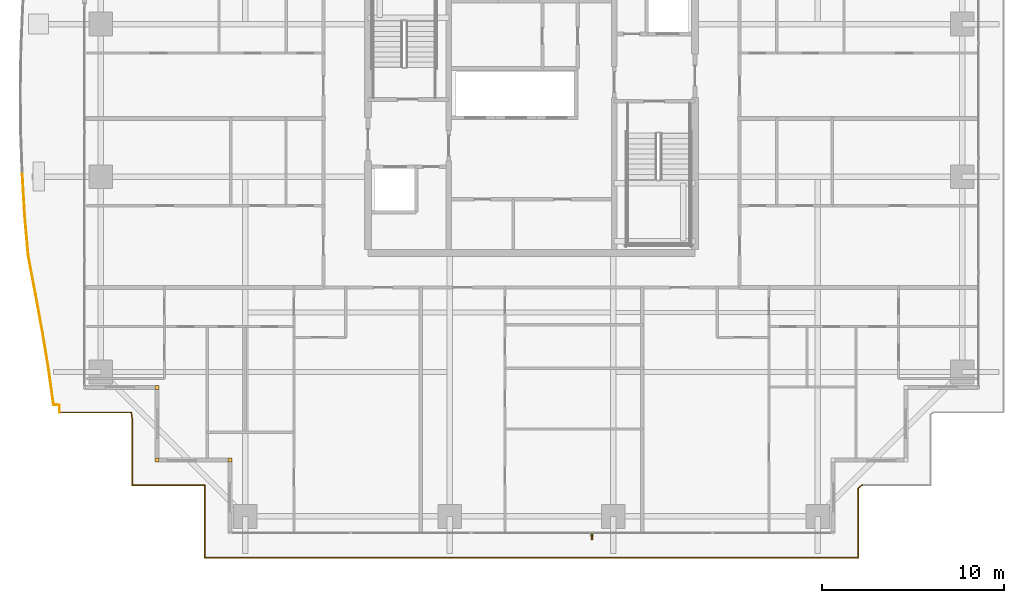
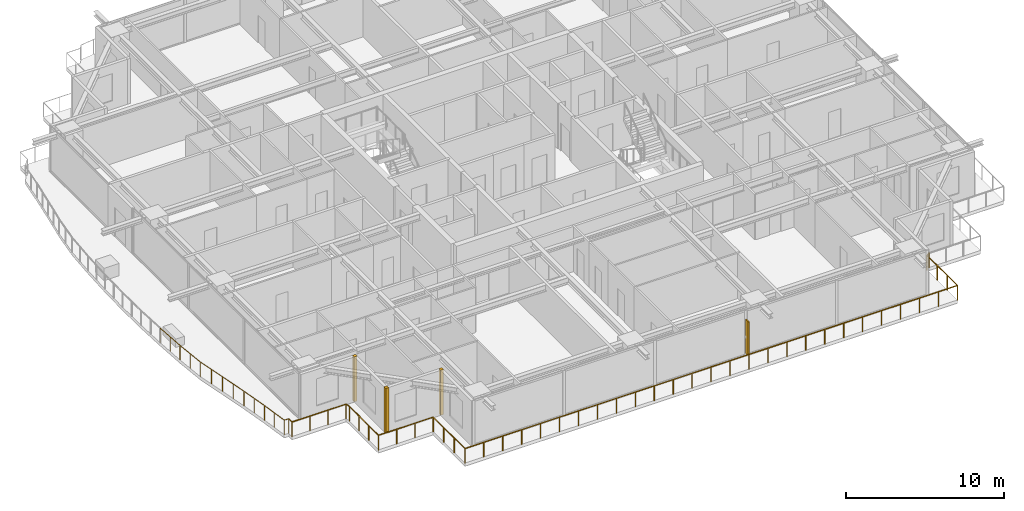
# One storey, part 34 of 39: 3 coverings, 2 railings, 1 shading device.
"""IFC4 building model written with IfcOpenShell, lengths in metres."""

from ifc_helpers import new_model, si_unit, direction, frame, origin, origin_2d, place, context, subcontext, project, spatial, rectangle, circle, extrude, source, transform, mapped, material, layer, layer_set, type_object, element, save


model = new_model("IFC4")

# Units and contexts
model_context = context("Model", 3, precision=1e-05, world=origin(), true_north=direction((0.0, 1.0)))
body_context = subcontext(model_context, "Body", "Model", "MODEL_VIEW")
ifc_project = project(units=[si_unit("LENGTHUNIT", "METRE"), si_unit("AREAUNIT", "SQUARE_METRE"), si_unit("VOLUMEUNIT", "CUBIC_METRE"), si_unit("PLANEANGLEUNIT", "RADIAN"), si_unit("MASSUNIT", "GRAM", prefix="KILO")], contexts=[model_context])

# Site, building, storey
site_placement = place(None, origin())
site = spatial("IfcSite", under=ifc_project, at=site_placement, CompositionType="ELEMENT")
building_placement = place(site_placement, origin())
building = spatial("IfcBuilding", under=site, at=building_placement, Name="Serunith Strait Residences", CompositionType="ELEMENT")
storey_placement = place(building_placement, frame((0.0, 0.0, 123.89990234375)))
storey = spatial("IfcBuildingStorey", under=building, at=storey_placement, Name="L30", CompositionType="ELEMENT", Elevation=123.89990234375)

# Railings
ifc_material_1 = material(Name="Stainless Steel & Laminated Glass Balustrade", Category="steel")
railing_type = type_object("IfcRailingType", Name="RLG-BALC-1150", PredefinedType="BALUSTRADE", material=ifc_material_1)
railing_1_placement = place(storey_placement, frame((6.419921875, 8.02001953125, -0.0498046875)))
element("IfcRailing", 1, at=railing_1_placement, inside=storey, type_object=railing_type, Name="L30 Swirling Balcony Perimeter Balustrade 1", PredefinedType="BALUSTRADE", context=body_context, shape_type="SweptSolid", body=[
    extrude(circle(Radius=0.02392578125, at=origin_2d()), frame((0.0, 0.001953125, 1.1259765625), z_axis=(0.0, 1.0, 0.0), x_axis=(-1.0, 0.0, 0.0)), (0.0, 0.0, 1.0), 0.40625),
    extrude(circle(Radius=0.02392578125, at=origin_2d()), frame((-0.001953125, 0.41015625, 1.1259765625), z_axis=(-0.998354096912, 0.05735065107, 0.0), x_axis=(-0.05735065107, -0.998354096912, 0.0)), (0.0, 0.0, 1.0), 0.319580078125),
    extrude(circle(Radius=0.02392578125, at=origin_2d()), frame((-0.3232421875, 0.4306640625, 1.1259765625), z_axis=(-0.137700040683, 0.990473976839, 0.0), x_axis=(-0.990473976839, -0.137700040683, 0.0)), (0.0, 0.0, 1.0), 2.01708984375),
    extrude(circle(Radius=0.02392578125, at=origin_2d()), frame((-0.6015625, 2.4326171875, 1.1259765625), z_axis=(-0.162408439988, 0.986723618153, 0.0), x_axis=(-0.986723618153, -0.162408439988, 0.0)), (0.0, 0.0, 1.0), 2.044921875),
    extrude(circle(Radius=0.02392578125, at=origin_2d()), frame((-0.934326171875, 4.454345703125, 1.1259765625), z_axis=(-0.180927869402, 0.983496368104, 0.0), x_axis=(-0.983496368104, -0.180927869402, 0.0)), (0.0, 0.0, 1.0), 2.0888671875),
    extrude(circle(Radius=0.02392578125, at=origin_2d()), frame((-1.313232421875, 6.5126953125, 1.1259765625), z_axis=(-0.186460195664, 0.982462516045, 0.0), x_axis=(-0.982462516045, -0.186460195664, 0.0)), (0.0, 0.0, 1.0), 2.147216796875),
    extrude(circle(Radius=0.02392578125, at=origin_2d()), frame((-1.714111328125, 8.626220703125, 1.1259765625), z_axis=(-0.088742194244, 0.996054628502, 0.0), x_axis=(-0.996054628502, -0.088742194244, 0.0)), (0.0, 0.0, 1.0), 2.22998046875),
    extrude(circle(Radius=0.02392578125, at=origin_2d()), frame((-1.912109375, 10.851318359375, 1.1259765625), z_axis=(-0.057720145887, 0.998332802606, 0.0), x_axis=(-0.998332802606, -0.057720145887, 0.0)), (0.0, 0.0, 1.0), 2.267333984375),
    extrude(circle(Radius=0.02099609375, at=origin_2d()), origin(), (0.0, 0.0, 1.0), 1.099853515625),
    extrude(circle(Radius=0.02099609375, at=origin_2d()), frame((0.0, 0.41015625, 0.0)), (0.0, 0.0, 1.0), 1.099853515625),
    extrude(circle(Radius=0.02099609375, at=origin_2d()), frame((-0.322998046875, 0.4287109375, 0.0)), (0.0, 0.0, 1.0), 1.099853515625),
    extrude(circle(Radius=0.02099609375, at=origin_2d()), frame((-0.462158203125, 1.4296875, 0.0)), (0.0, 0.0, 1.0), 1.099853515625),
    extrude(circle(Radius=0.02099609375, at=origin_2d()), frame((-0.601318359375, 2.4306640625, 0.0)), (0.0, 0.0, 1.0), 1.099853515625),
    extrude(circle(Radius=0.02099609375, at=origin_2d()), frame((-0.767578125, 3.44140625, 0.0)), (0.0, 0.0, 1.0), 1.099853515625),
    extrude(circle(Radius=0.02099609375, at=origin_2d()), frame((-0.93408203125, 4.452392578125, 0.0)), (0.0, 0.0, 1.0), 1.099853515625),
    extrude(circle(Radius=0.02099609375, at=origin_2d()), frame((-1.12353515625, 5.4814453125, 0.0)), (0.0, 0.0, 1.0), 1.099853515625),
    extrude(circle(Radius=0.02099609375, at=origin_2d()), frame((-1.312744140625, 6.5107421875, 0.0)), (0.0, 0.0, 1.0), 1.099853515625),
    extrude(circle(Radius=0.02099609375, at=origin_2d()), frame((-1.51318359375, 7.5673828125, 0.0)), (0.0, 0.0, 1.0), 1.099853515625),
    extrude(circle(Radius=0.02099609375, at=origin_2d()), frame((-1.7138671875, 8.624267578125, 0.0)), (0.0, 0.0, 1.0), 1.099853515625),
    extrude(circle(Radius=0.02099609375, at=origin_2d()), frame((-1.81298828125, 9.73681640625, 0.0)), (0.0, 0.0, 1.0), 1.099853515625),
    extrude(circle(Radius=0.02099609375, at=origin_2d()), frame((-1.912109375, 10.849365234375, 0.0)), (0.0, 0.0, 1.0), 1.099853515625),
    extrude(circle(Radius=0.02099609375, at=origin_2d()), frame((-1.9775390625, 11.983154296875, 0.0)), (0.0, 0.0, 1.0), 1.099853515625),
    extrude(circle(Radius=0.02099609375, at=origin_2d()), frame((-2.043212890625, 13.116943359375, 0.0)), (0.0, 0.0, 1.0), 1.099853515625),
])
railing_2_placement = place(storey_placement, frame((50.601806640625, 4.02001953125, -0.0498046875)))
element("IfcRailing", 2, at=railing_2_placement, inside=storey, type_object=railing_type, Name="L30 Swirling Balcony Perimeter Balustrade 8", PredefinedType="BALUSTRADE", context=body_context, shape_type="SweptSolid", body=[
    extrude(circle(Radius=0.02392578125, at=origin_2d()), frame((-0.00146484375, -0.001220703125, 1.1259765625), z_axis=(-0.778021630841, -0.62823748849, 0.0), x_axis=(0.62823748849, -0.778021630841, 0.0)), (0.0, 0.0, 1.0), 0.28125),
    extrude(circle(Radius=0.02392578125, at=origin_2d()), frame((-0.221923828125, -0.18115234375, 1.1259765625), z_axis=(0.0, -1.0, 0.0), x_axis=(1.0, 0.0, 0.0)), (0.0, 0.0, 1.0), 3.81689453125),
    extrude(circle(Radius=0.02392578125, at=origin_2d()), frame((-0.223876953125, -4.0, 1.1259765625), z_axis=(-1.0, 0.0, 0.0), x_axis=(0.0, -1.0, 0.0)), (0.0, 0.0, 1.0), 35.9560546875),
    extrude(circle(Radius=0.02392578125, at=origin_2d()), frame((-36.181884765625, -3.998046875, 1.1259765625), z_axis=(0.0, 1.0, 0.0), x_axis=(-1.0, 0.0, 0.0)), (0.0, 0.0, 1.0), 3.99609375),
    extrude(circle(Radius=0.02392578125, at=origin_2d()), frame((-36.183837890625, 0.0, 1.1259765625), z_axis=(-1.0, 0.0, 0.0), x_axis=(0.0, -1.0, 0.0)), (0.0, 0.0, 1.0), 3.99609375),
    extrude(circle(Radius=0.02392578125, at=origin_2d()), frame((-40.181884765625, 0.001953125, 1.1259765625), z_axis=(0.0, 1.0, 0.0), x_axis=(-1.0, 0.0, 0.0)), (0.0, 0.0, 1.0), 3.664306640625),
    extrude(circle(Radius=0.02392578125, at=origin_2d()), frame((-40.18212890625, 3.670166015625, 1.1259765625), z_axis=(-0.14559878135, 0.989343719275, 0.0), x_axis=(-0.989343719275, -0.14559878135, 0.0)), (0.0, 0.0, 1.0), 0.331298828125),
    extrude(circle(Radius=0.02392578125, at=origin_2d()), frame((-40.232666015625, 4.0, 1.1259765625), z_axis=(-1.0, 0.0, 0.0), x_axis=(0.0, -1.0, 0.0)), (0.0, 0.0, 1.0), 3.947265625),
    extrude(circle(Radius=0.02099609375, at=origin_2d()), origin(), (0.0, 0.0, 1.0), 1.099853515625),
    extrude(circle(Radius=0.02099609375, at=origin_2d()), frame((-0.221923828125, -0.17919921875, 0.0)), (0.0, 0.0, 1.0), 1.099853515625),
    extrude(circle(Radius=0.02099609375, at=origin_2d()), frame((-0.221923828125, -1.452880859375, 0.0)), (0.0, 0.0, 1.0), 1.099853515625),
    extrude(circle(Radius=0.02099609375, at=origin_2d()), frame((-0.221923828125, -2.726318359375, 0.0)), (0.0, 0.0, 1.0), 1.099853515625),
    extrude(circle(Radius=0.02099609375, at=origin_2d()), frame((-0.221923828125, -4.0, 0.0)), (0.0, 0.0, 1.0), 1.099853515625),
    extrude(circle(Radius=0.02099609375, at=origin_2d()), frame((-1.60498046875, -4.0, 0.0)), (0.0, 0.0, 1.0), 1.099853515625),
    extrude(circle(Radius=0.02099609375, at=origin_2d()), frame((-2.988037109375, -4.0, 0.0)), (0.0, 0.0, 1.0), 1.099853515625),
    extrude(circle(Radius=0.02099609375, at=origin_2d()), frame((-4.37109375, -4.0, 0.0)), (0.0, 0.0, 1.0), 1.099853515625),
    extrude(circle(Radius=0.02099609375, at=origin_2d()), frame((-5.754150390625, -4.0, 0.0)), (0.0, 0.0, 1.0), 1.099853515625),
    extrude(circle(Radius=0.02099609375, at=origin_2d()), frame((-7.13720703125, -4.0, 0.0)), (0.0, 0.0, 1.0), 1.099853515625),
    extrude(circle(Radius=0.02099609375, at=origin_2d()), frame((-8.520263671875, -4.0, 0.0)), (0.0, 0.0, 1.0), 1.099853515625),
    extrude(circle(Radius=0.02099609375, at=origin_2d()), frame((-9.903564453125, -4.0, 0.0)), (0.0, 0.0, 1.0), 1.099853515625),
    extrude(circle(Radius=0.02099609375, at=origin_2d()), frame((-11.28662109375, -4.0, 0.0)), (0.0, 0.0, 1.0), 1.099853515625),
    extrude(circle(Radius=0.02099609375, at=origin_2d()), frame((-12.669677734375, -4.0, 0.0)), (0.0, 0.0, 1.0), 1.099853515625),
    extrude(circle(Radius=0.02099609375, at=origin_2d()), frame((-14.052734375, -4.0, 0.0)), (0.0, 0.0, 1.0), 1.099853515625),
    extrude(circle(Radius=0.02099609375, at=origin_2d()), frame((-15.435791015625, -4.0, 0.0)), (0.0, 0.0, 1.0), 1.099853515625),
    extrude(circle(Radius=0.02099609375, at=origin_2d()), frame((-16.81884765625, -4.0, 0.0)), (0.0, 0.0, 1.0), 1.099853515625),
    extrude(circle(Radius=0.02099609375, at=origin_2d()), frame((-18.201904296875, -4.0, 0.0)), (0.0, 0.0, 1.0), 1.099853515625),
    extrude(circle(Radius=0.02099609375, at=origin_2d()), frame((-19.5849609375, -4.0, 0.0)), (0.0, 0.0, 1.0), 1.099853515625),
    extrude(circle(Radius=0.02099609375, at=origin_2d()), frame((-20.968017578125, -4.0, 0.0)), (0.0, 0.0, 1.0), 1.099853515625),
    extrude(circle(Radius=0.02099609375, at=origin_2d()), frame((-22.35107421875, -4.0, 0.0)), (0.0, 0.0, 1.0), 1.099853515625),
    extrude(circle(Radius=0.02099609375, at=origin_2d()), frame((-23.734130859375, -4.0, 0.0)), (0.0, 0.0, 1.0), 1.099853515625),
    extrude(circle(Radius=0.02099609375, at=origin_2d()), frame((-25.1171875, -4.0, 0.0)), (0.0, 0.0, 1.0), 1.099853515625),
    extrude(circle(Radius=0.02099609375, at=origin_2d()), frame((-26.500244140625, -4.0, 0.0)), (0.0, 0.0, 1.0), 1.099853515625),
    extrude(circle(Radius=0.02099609375, at=origin_2d()), frame((-27.883544921875, -4.0, 0.0)), (0.0, 0.0, 1.0), 1.099853515625),
    extrude(circle(Radius=0.02099609375, at=origin_2d()), frame((-29.2666015625, -4.0, 0.0)), (0.0, 0.0, 1.0), 1.099853515625),
    extrude(circle(Radius=0.02099609375, at=origin_2d()), frame((-30.649658203125, -4.0, 0.0)), (0.0, 0.0, 1.0), 1.099853515625),
    extrude(circle(Radius=0.02099609375, at=origin_2d()), frame((-32.03271484375, -4.0, 0.0)), (0.0, 0.0, 1.0), 1.099853515625),
    extrude(circle(Radius=0.02099609375, at=origin_2d()), frame((-33.415771484375, -4.0, 0.0)), (0.0, 0.0, 1.0), 1.099853515625),
    extrude(circle(Radius=0.02099609375, at=origin_2d()), frame((-34.798828125, -4.0, 0.0)), (0.0, 0.0, 1.0), 1.099853515625),
    extrude(circle(Radius=0.02099609375, at=origin_2d()), frame((-36.181884765625, -4.0, 0.0)), (0.0, 0.0, 1.0), 1.099853515625),
    extrude(circle(Radius=0.02099609375, at=origin_2d()), frame((-36.181884765625, -2.666748046875, 0.0)), (0.0, 0.0, 1.0), 1.099853515625),
    extrude(circle(Radius=0.02099609375, at=origin_2d()), frame((-36.181884765625, -1.333251953125, 0.0)), (0.0, 0.0, 1.0), 1.099853515625),
    extrude(circle(Radius=0.02099609375, at=origin_2d()), frame((-36.181884765625, 0.0, 0.0)), (0.0, 0.0, 1.0), 1.099853515625),
    extrude(circle(Radius=0.02099609375, at=origin_2d()), frame((-37.51513671875, 0.0, 0.0)), (0.0, 0.0, 1.0), 1.099853515625),
    extrude(circle(Radius=0.02099609375, at=origin_2d()), frame((-38.8486328125, 0.0, 0.0)), (0.0, 0.0, 1.0), 1.099853515625),
    extrude(circle(Radius=0.02099609375, at=origin_2d()), frame((-40.181884765625, 0.0, 0.0)), (0.0, 0.0, 1.0), 1.099853515625),
    extrude(circle(Radius=0.02099609375, at=origin_2d()), frame((-40.181884765625, 1.22265625, 0.0)), (0.0, 0.0, 1.0), 1.099853515625),
    extrude(circle(Radius=0.02099609375, at=origin_2d()), frame((-40.181884765625, 2.445556640625, 0.0)), (0.0, 0.0, 1.0), 1.099853515625),
    extrude(circle(Radius=0.02099609375, at=origin_2d()), frame((-40.181884765625, 3.668212890625, 0.0)), (0.0, 0.0, 1.0), 1.099853515625),
    extrude(circle(Radius=0.02099609375, at=origin_2d()), frame((-40.230712890625, 4.0, 0.0)), (0.0, 0.0, 1.0), 1.099853515625),
    extrude(circle(Radius=0.02099609375, at=origin_2d()), frame((-41.5478515625, 4.0, 0.0)), (0.0, 0.0, 1.0), 1.099853515625),
    extrude(circle(Radius=0.02099609375, at=origin_2d()), frame((-42.86474609375, 4.0, 0.0)), (0.0, 0.0, 1.0), 1.099853515625),
    extrude(circle(Radius=0.02099609375, at=origin_2d()), frame((-44.181884765625, 4.0, 0.0)), (0.0, 0.0, 1.0), 1.099853515625),
])

# Coverings
ifc_material_2 = material(Name="Pale-Champagne Anodised Aluminium", Category="aluminium")
ifc_layer = layer(ifc_material_2, 0.219970703125, Name="Pale-Champagne Anodised Aluminium")
ifc_layer_set = layer_set([ifc_layer], Name="Pale-Champagne Anodised Aluminium")
covering_type = type_object("IfcCoveringType", Name="COV-CORN-TRIM", PredefinedType="CLADDING", material=ifc_layer_set)
shared_shape_1 = source(origin(), body_context, "Body", "SweptSolid", [
    extrude(rectangle(XDim=0.221923828125, YDim=0.221923828125, at=origin_2d()), origin(), (0.0, 0.0, 1.0), 3.47509765625),
])
for number, where, z_axis, x_axis, name in (
    (3, (11.800048828125, 9.39990234375, 0.0), (0.0, 0.0, 1.0), (1.0, 0.0, 0.0), "L30 Girih Serrated Corner Trim Post 17"),
    (4, (11.800048828125, 5.39990234375, 0.0), (0.0, 0.0, 1.0), (1.0, 0.0, 0.0), "L30 Girih Serrated Corner Trim Post 18"),
    (5, (15.800048828125, 5.39990234375, 0.0), (0.0, 0.0, 1.0), (1.0, 0.0, 0.0), "L30 Girih Serrated Corner Trim Post 19"),
):
    element("IfcCovering", number, at=place(storey_placement, frame(where, z_axis=z_axis, x_axis=x_axis)), inside=storey, type_object=covering_type, Name=name, PredefinedType="CLADDING", context=body_context, shape_type="MappedRepresentation", body=[
        mapped(shared_shape_1, transform((0.0, 0.0, 0.0), scale=1.0)),
    ])

# Shading device
ifc_material_3 = material(Name="Pale-Champagne Perforated Aluminium Fin", Category="aluminium")
shading_device_type = type_object("IfcShadingDeviceType", Name="SHD-DIAG-FIN", PredefinedType="AWNING", material=ifc_material_3)
shared_shape_2 = source(origin(), body_context, "Body", "SweptSolid", [
    extrude(rectangle(XDim=0.080078125, YDim=0.35009765625, at=origin_2d()), origin(), (0.0, 0.0, 1.0), 2.60009765625),
])
shading_device_placement = place(storey_placement, frame((35.719970703125, 1.179931640625, 0.199951171875), z_axis=(0.0, 0.0, 1.0), x_axis=(1.0, 0.0, 0.0)))
element("IfcShadingDevice", 6, at=shading_device_placement, inside=storey, type_object=shading_device_type, Name="L30 Diagonal Rhythm Solar Fin S", PredefinedType="AWNING", context=body_context, shape_type="MappedRepresentation", body=[
    mapped(shared_shape_2, transform((0.0, 0.0, 0.0), scale=1.0)),
])

save(model, "model.ifc")
